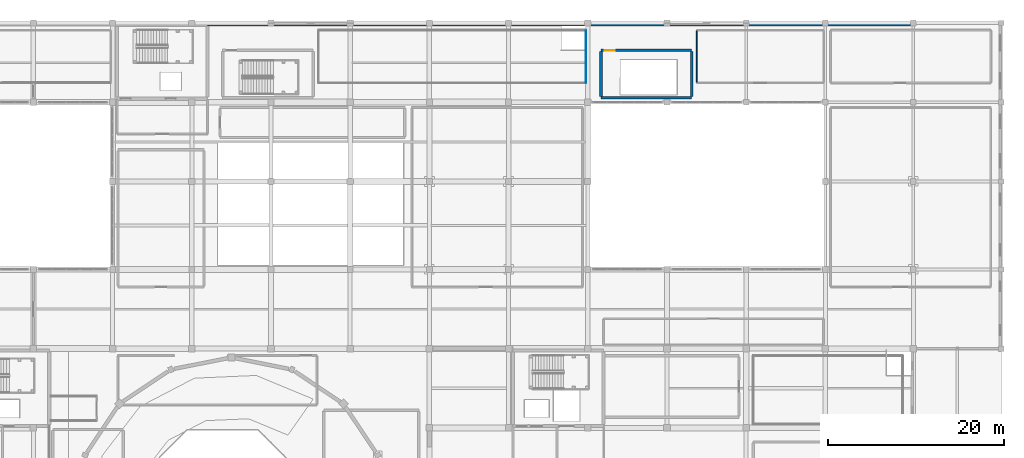
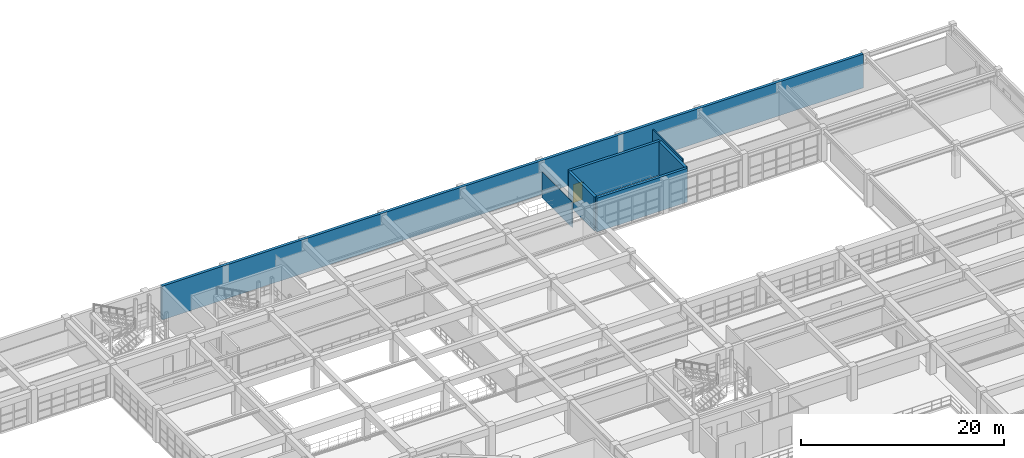
# One storey, part 116 of 130: 7 walls, 1 door, 1 opening.
"""IFC4 building model written with IfcOpenShell, lengths in metres."""

from ifc_helpers import new_model, si_unit, direction, frame, frame_2d, origin, place, context, subcontext, project, spatial, rectangle, extrude, material, layer, layer_set, type_object, element, fill, save


model = new_model("IFC4")

# Units and contexts
model_context = context("Model", 3, precision=1e-05, world=origin(), true_north=direction((0.0, 1.0)))
body_context = subcontext(model_context, "Body", "Model", "MODEL_VIEW")
ifc_project = project(units=[si_unit("LENGTHUNIT", "METRE"), si_unit("AREAUNIT", "SQUARE_METRE"), si_unit("VOLUMEUNIT", "CUBIC_METRE"), si_unit("PLANEANGLEUNIT", "RADIAN"), si_unit("MASSUNIT", "GRAM", prefix="KILO")], contexts=[model_context])

# Site, building, storey
site_placement = place(None, origin())
site = spatial("IfcSite", under=ifc_project, at=site_placement, CompositionType="ELEMENT")
building_placement = place(site_placement, origin())
building = spatial("IfcBuilding", under=site, at=building_placement, Name="Miravela Opera House", CompositionType="ELEMENT")
storey_placement = place(building_placement, frame((0.0, 0.0, 9.52001953125)))
storey = spatial("IfcBuildingStorey", under=building, at=storey_placement, Name="L02", CompositionType="ELEMENT", Elevation=9.52001953125)

# Walls
ifc_material_1 = material(Name="Acoustic metal-stud gypsum partition")
ifc_layer_1 = layer(ifc_material_1, 0.090087890625)
ifc_layer_set_1 = layer_set([ifc_layer_1])
wall_type_1 = type_object("IfcWallType", Name="ARC-PT-090", PredefinedType="PARTITIONING", material=ifc_layer_set_1)
wall_1_placement = place(storey_placement, frame((116.800048828125, 105.2451171875, 0.0), z_axis=(0.0, 0.0, 1.0), x_axis=(0.0, 1.0, 0.0)))
element("IfcWall", 1, at=wall_1_placement, inside=storey, type_object=wall_type_1, Name="Opera Libretto Study Hall Partition East", PredefinedType="PARTITIONING", context=body_context, shape_type="SweptSolid", body=[
    extrude(rectangle(XDim=5.909912109375, YDim=0.090087890625, at=frame_2d((2.955078125, 0.0))), origin(), (0.0, 0.0, 1.0), 3.119873046875),
])
ifc_material_2 = material(Name="Fire-rated acoustic gypsum partition")
ifc_layer_2 = layer(ifc_material_2, 0.1298828125)
ifc_layer_set_2 = layer_set([ifc_layer_2])
wall_type_2 = type_object("IfcWallType", Name="ARC-PT-130", PredefinedType="PARTITIONING", material=ifc_layer_set_2)
wall_2_placement = place(storey_placement, frame((129.39990234375, 105.264892578125, 0.0), z_axis=(0.0, 0.0, 1.0), x_axis=(0.0, 1.0, 0.0)))
element("IfcWall", 2, at=wall_2_placement, inside=storey, type_object=wall_type_2, Name="Youth Opera Academy Studio Partition West", PredefinedType="PARTITIONING", context=body_context, shape_type="SweptSolid", body=[
    extrude(rectangle(XDim=5.8701171875, YDim=0.1298828125, at=frame_2d((2.93505859375, 0.0))), origin(), (0.0, 0.0, 1.0), 3.840087890625),
])
ifc_material_3 = material(Name="Concrete C35/45", Category="concrete")
ifc_layer_3 = layer(ifc_material_3, 0.320068359375)
ifc_layer_set_3 = layer_set([ifc_layer_3])
wall_type_3 = type_object("IfcWallType", Name="STR-WALL-PARTY-320", PredefinedType="SHEAR", material=ifc_layer_set_3)
wall_3_placement = place(storey_placement, frame((73.77490234375, 111.840087890625, 0.0), z_axis=(0.0, 0.0, 1.0), x_axis=(1.0, 0.0, 0.0)))
element("IfcWall", 3, at=wall_3_placement, inside=storey, type_object=wall_type_3, Name="North Lot-Line Blind Fire Party Wall East (L02)", PredefinedType="SHEAR", context=body_context, shape_type="SweptSolid", body=[
    extrude(rectangle(XDim=79.875, YDim=0.320068359375, at=frame_2d((39.9375, 0.0))), origin(), (0.0, 0.0, 1.0), 4.080078125),
])
ifc_layer_4 = layer(ifc_material_3, 0.300048828125)
ifc_layer_set_4 = layer_set([ifc_layer_4])
wall_type_4 = type_object("IfcWallType", Name="STR-WALL-WING-300", PredefinedType="SHEAR", material=ifc_layer_set_4)
wall_4_placement = place(storey_placement, frame((118.5, 103.5, 0.0), z_axis=(0.0, 0.0, 1.0), x_axis=(1.0, 0.0, 0.0)))
element("IfcWall", 4, at=wall_4_placement, inside=storey, type_object=wall_type_4, Name="Core ST-09 Shear Wall South (L02)", PredefinedType="SHEAR", context=body_context, shape_type="SweptSolid", body=[
    extrude(rectangle(XDim=10.300048828125, YDim=0.300048828125, at=frame_2d((5.14990234375, 0.0))), origin(), (0.0, 0.0, 1.0), 4.080078125),
])

# Wall, opening, door
wall_5_placement = place(storey_placement, frame((118.5, 108.89990234375, 0.0), z_axis=(0.0, 0.0, 1.0), x_axis=(1.0, 0.0, 0.0)))
wall_5 = element("IfcWall", 5, at=wall_5_placement, inside=storey, type_object=wall_type_4, Name="Core ST-09 Shear Wall North (L02)", PredefinedType="SHEAR", context=body_context, shape_type="SweptSolid", body=[
    extrude(rectangle(XDim=10.300048828125, YDim=0.300048828125, at=frame_2d((5.14990234375, 0.0))), origin(), (0.0, 0.0, 1.0), 4.080078125),
])
opening_placement = place(wall_5_placement, frame((0.449951171875, 0.0, 0.0)))
opening = element("IfcOpeningElement", 6, at=opening_placement, cuts=wall_5, Name="Opening FD-01", PredefinedType="OPENING", context=body_context, shape_type="SweptSolid", body=[
    extrude(rectangle(XDim=1.10009765625, YDim=2.199951171875, at=frame_2d((0.550048828125, 1.10009765625))), frame((0.0, 0.159912109375, 0.0), z_axis=(0.0, -1.0, 0.0), x_axis=(1.0, 0.0, 0.0)), (0.0, 0.0, 1.0), 0.320068359375),
])
ifc_material_4 = material(Name="Fire-rated steel/hardwood exit stair door", Category="steel")
door_type = type_object("IfcDoorType", Name="ARC-FD-1100X2200", OperationType="NOTDEFINED", PredefinedType="DOOR", material=ifc_material_4)
door_placement = place(opening_placement, frame((1.10009765625, 0.0, 0.0), z_axis=(0.0, 0.0, 1.0), x_axis=(-1.0, 0.0, 0.0)))
door = element("IfcDoor", 7, at=door_placement, inside=storey, type_object=door_type, Name="Exit Stair ST-09 Rated Door (L02) IDR-L02-0053", OperationType="SINGLE_SWING_LEFT", OverallHeight=2.199951171875, OverallWidth=1.10009765625, PredefinedType="DOOR", context=body_context, shape_type="SweptSolid", body=[
    extrude(rectangle(XDim=1.10009765625, YDim=2.199951171875, at=frame_2d((0.550048828125, 1.10009765625))), frame((0.0, 0.02490234375, 0.0), z_axis=(0.0, -1.0, 0.0), x_axis=(1.0, 0.0, 0.0)), (0.0, 0.0, 1.0), 0.050048828125),
])
fill(opening, door)

# Walls
for number, where, z_axis, x_axis, name in (
    (8, (118.5, 103.64990234375, 0.0), (0.0, 0.0, 1.0), (0.0, 1.0, 0.0), "Core ST-09 Shear Wall West (L02)"),
    (9, (128.800048828125, 103.64990234375, 0.0), (0.0, 0.0, 1.0), (0.0, 1.0, 0.0), "Core ST-09 Shear Wall East (L02)"),
):
    element("IfcWall", number, at=place(storey_placement, frame(where, z_axis=z_axis, x_axis=x_axis)), inside=storey, type_object=wall_type_4, Name=name, PredefinedType="SHEAR", context=body_context, shape_type="SweptSolid", body=[
        extrude(rectangle(XDim=5.10009765625, YDim=0.300048828125, at=frame_2d((2.550048828125, 0.0))), origin(), (0.0, 0.0, 1.0), 4.080078125),
    ])

save(model, "model.ifc")
